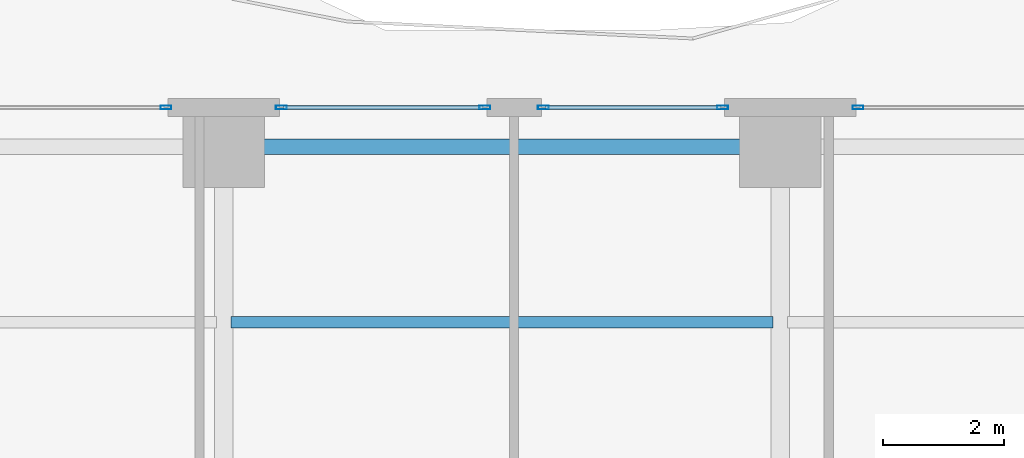
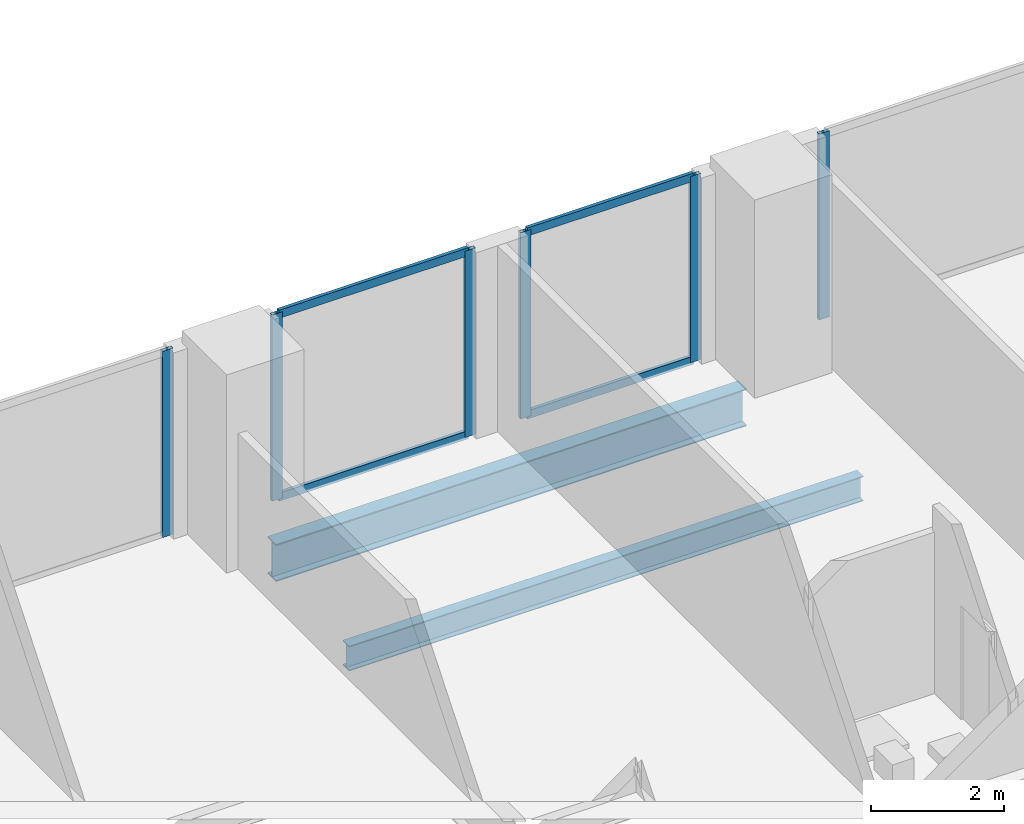
# One storey, part 17 of 29: 10 members, 2 beams, 4 elements without a shape of their own.
"""IFC4 building model written with IfcOpenShell, lengths in metres."""

from ifc_helpers import new_model, si_unit, direction, frame, origin, origin_2d, place, context, subcontext, project, spatial, hollow_rectangle, i_section, extrude, material, layer, layer_set, material_profile, profile_set, type_object, element, aggregate, save


model = new_model("IFC4")

# Units and contexts
model_context = context("Model", 3, precision=1e-05, world=origin(), true_north=direction((0.0, 1.0)))
body_context = subcontext(model_context, "Body", "Model", "MODEL_VIEW")
ifc_project = project(units=[si_unit("LENGTHUNIT", "METRE"), si_unit("AREAUNIT", "SQUARE_METRE"), si_unit("VOLUMEUNIT", "CUBIC_METRE"), si_unit("PLANEANGLEUNIT", "RADIAN"), si_unit("MASSUNIT", "GRAM", prefix="KILO")], contexts=[model_context])

# Site, building, storey
site_placement = place(None, origin())
site = spatial("IfcSite", under=ifc_project, at=site_placement, CompositionType="ELEMENT")
building_placement = place(site_placement, origin())
building = spatial("IfcBuilding", under=site, at=building_placement, Name="Zuhayl Quay Hotel", CompositionType="ELEMENT")
storey_placement = place(building_placement, frame((0.0, 0.0, 150.39990234375)))
storey = spatial("IfcBuildingStorey", under=building, at=storey_placement, Name="L38", CompositionType="ELEMENT", Elevation=150.39990234375)

# Beams
ifc_material_1 = material(Name="Steel ASTM A992 Grade 50", Category="steel")
ifc_material_profile_1 = material_profile(ifc_material_1, i_section(OverallWidth=0.25390625, OverallDepth=0.68310546875, WebThickness=0.012451171875, FlangeThickness=0.018798828125, at=origin_2d()), Name="W27X94")
ifc_profile_set_1 = profile_set([ifc_material_profile_1], Name="Steel ASTM A992 Grade 50")
beam_type_1 = type_object("IfcBeamType", Name="BM_B2_W27X94", PredefinedType="BEAM", material=ifc_profile_set_1)
beam_1_placement = place(storey_placement, frame((4.10009765625, 27.75, -0.5615234375), z_axis=(-1.0, 0.0, 0.0), x_axis=(0.0, -1.0, 0.0)))
element("IfcBeam", 1, at=beam_1_placement, inside=storey, type_object=beam_type_1, Name="L38 Floor Beam RG_L38_08", PredefinedType="BEAM", context=body_context, shape_type="SweptSolid", body=[
    extrude(i_section(OverallWidth=0.25390625, OverallDepth=0.68310546875, WebThickness=0.012451171875, FlangeThickness=0.018798828125, at=origin_2d()), origin(), (0.0, 0.0, 1.0), 8.2001953125),
])
ifc_material_profile_2 = material_profile(ifc_material_1, i_section(OverallWidth=0.18994140625, OverallDepth=0.45703125, WebThickness=0.009033203125, FlangeThickness=0.014404296875, at=origin_2d()), Name="W18X50")
ifc_profile_set_2 = profile_set([ifc_material_profile_2], Name="Steel ASTM A992 Grade 50")
beam_type_2 = type_object("IfcBeamType", Name="BM_J2_W18X50", PredefinedType="JOIST", material=ifc_profile_set_2)
beam_2_placement = place(storey_placement, frame((-4.48095703125, 24.85009765625, -0.448486328125), z_axis=(1.0, 0.0, 0.0), x_axis=(0.0, 1.0, 0.0)))
element("IfcBeam", 2, at=beam_2_placement, inside=storey, type_object=beam_type_2, Name="L38 Floor Beam FJ_L38_4_2", PredefinedType="JOIST", context=body_context, shape_type="SweptSolid", body=[
    extrude(i_section(OverallWidth=0.18994140625, OverallDepth=0.45703125, WebThickness=0.009033203125, FlangeThickness=0.014404296875, at=origin_2d()), origin(), (0.0, 0.0, 1.0), 8.9619140625),
])

# Curtain wall, member
ifc_material_2 = material(Name="Anodised Aluminium 6063-T6", Category="aluminium")
ifc_layer = layer(ifc_material_2, 0.179931640625, Name="Anodised Aluminium 6063-T6", Category="aluminium")
ifc_layer_set = layer_set([ifc_layer], Name="Anodised Aluminium 6063-T6")
curtain_wall_type = type_object("IfcCurtainWallType", Name="CW_SYS_Z2", PredefinedType="USERDEFINED", material=ifc_layer_set)
curtain_wall_1_placement = place(storey_placement, origin())
curtain_wall_1 = element("IfcCurtainWall", 3, at=curtain_wall_1_placement, inside=storey, type_object=curtain_wall_type, Name="L38 Curtain Wall ENV_L38_N_CW3", ObjectType="UNITISED CURTAIN WALL", PredefinedType="USERDEFINED")
ifc_material_3 = material(Name="Black-anodised aluminium 6063-T6", Category="aluminium")
ifc_material_profile_3 = material_profile(ifc_material_3, hollow_rectangle(XDim=0.06494140625, YDim=0.179931640625, WallThickness=0.00341796875, at=origin_2d()), Name="ALU180X65")
ifc_profile_set_3 = profile_set([ifc_material_profile_3], Name="Black-anodised aluminium 6063-T6")
member_type_1 = type_object("IfcMemberType", Name="MB_CW_MUL_180", PredefinedType="MULLION", material=ifc_profile_set_3)
member_1_placement = place(storey_placement, frame((-5.552490234375, 28.39990234375, 0.0), z_axis=(0.0, 0.0, 1.0), x_axis=(0.0, 1.0, 0.0)))
member_1 = element("IfcMember", 4, at=member_1_placement, type_object=member_type_1, Name="CW-Z2 mullion 2", PredefinedType="MULLION", context=body_context, shape_type="SweptSolid", body=[
    extrude(hollow_rectangle(XDim=0.06494140625, YDim=0.179931640625, WallThickness=0.00341796875, at=origin_2d()), origin(), (0.0, 0.0, 1.0), 3.43017578125),
])
aggregate(curtain_wall_1, [member_1])

# Curtain wall, members
curtain_wall_2_placement = place(storey_placement, origin())
curtain_wall_2 = element("IfcCurtainWall", 5, at=curtain_wall_2_placement, inside=storey, type_object=curtain_wall_type, Name="L38 Curtain Wall ENV_L38_N_CW4", ObjectType="UNITISED CURTAIN WALL", PredefinedType="USERDEFINED")
member_2_placement = place(storey_placement, frame((-3.6474609375, 28.39990234375, 0.0), z_axis=(0.0, 0.0, 1.0), x_axis=(0.0, 1.0, 0.0)))
member_2 = element("IfcMember", 6, at=member_2_placement, type_object=member_type_1, Name="CW-Z2 mullion 1", PredefinedType="MULLION", context=body_context, shape_type="SweptSolid", body=[
    extrude(hollow_rectangle(XDim=0.06494140625, YDim=0.179931640625, WallThickness=0.00341796875, at=origin_2d()), origin(), (0.0, 0.0, 1.0), 3.43017578125),
])
member_3_placement = place(storey_placement, frame((-0.282470703125, 28.39990234375, 0.0), z_axis=(0.0, 0.0, 1.0), x_axis=(0.0, 1.0, 0.0)))
member_3 = element("IfcMember", 7, at=member_3_placement, type_object=member_type_1, Name="CW-Z2 mullion 2", PredefinedType="MULLION", context=body_context, shape_type="SweptSolid", body=[
    extrude(hollow_rectangle(XDim=0.06494140625, YDim=0.179931640625, WallThickness=0.00341796875, at=origin_2d()), origin(), (0.0, 0.0, 1.0), 3.43017578125),
])

curtain_wall_3_placement = place(storey_placement, origin())
curtain_wall_3 = element("IfcCurtainWall", 8, at=curtain_wall_3_placement, inside=storey, type_object=curtain_wall_type, Name="L38 Curtain Wall ENV_L38_N_CW5", ObjectType="UNITISED CURTAIN WALL", PredefinedType="USERDEFINED")
member_4_placement = place(storey_placement, frame((0.6826171875, 28.39990234375, 0.0), z_axis=(0.0, 0.0, 1.0), x_axis=(0.0, 1.0, 0.0)))
member_4 = element("IfcMember", 9, at=member_4_placement, type_object=member_type_1, Name="CW-Z2 mullion 1", PredefinedType="MULLION", context=body_context, shape_type="SweptSolid", body=[
    extrude(hollow_rectangle(XDim=0.06494140625, YDim=0.179931640625, WallThickness=0.00341796875, at=origin_2d()), origin(), (0.0, 0.0, 1.0), 3.43017578125),
])
member_5_placement = place(storey_placement, frame((3.6474609375, 28.39990234375, 0.0), z_axis=(0.0, 0.0, 1.0), x_axis=(0.0, 1.0, 0.0)))
member_5 = element("IfcMember", 10, at=member_5_placement, type_object=member_type_1, Name="CW-Z2 mullion 2", PredefinedType="MULLION", context=body_context, shape_type="SweptSolid", body=[
    extrude(hollow_rectangle(XDim=0.06494140625, YDim=0.179931640625, WallThickness=0.00341796875, at=origin_2d()), origin(), (0.0, 0.0, 1.0), 3.43017578125),
])

# Curtain wall, member
curtain_wall_4_placement = place(storey_placement, origin())
curtain_wall_4 = element("IfcCurtainWall", 11, at=curtain_wall_4_placement, inside=storey, type_object=curtain_wall_type, Name="L38 Curtain Wall ENV_L38_N_CW6", ObjectType="UNITISED CURTAIN WALL", PredefinedType="USERDEFINED")
member_6_placement = place(storey_placement, frame((5.882568359375, 28.39990234375, 0.0), z_axis=(0.0, 0.0, 1.0), x_axis=(0.0, 1.0, 0.0)))
member_6 = element("IfcMember", 12, at=member_6_placement, type_object=member_type_1, Name="CW-Z2 mullion 1", PredefinedType="MULLION", context=body_context, shape_type="SweptSolid", body=[
    extrude(hollow_rectangle(XDim=0.06494140625, YDim=0.179931640625, WallThickness=0.00341796875, at=origin_2d()), origin(), (0.0, 0.0, 1.0), 3.43017578125),
])
aggregate(curtain_wall_4, [member_6])

# Member
ifc_material_profile_4 = material_profile(ifc_material_3, hollow_rectangle(XDim=0.06005859375, YDim=0.14990234375, WallThickness=0.00341796875, at=origin_2d()), Name="ALU150X60")
ifc_profile_set_4 = profile_set([ifc_material_profile_4], Name="Black-anodised aluminium 6063-T6")
member_type_2 = type_object("IfcMemberType", Name="MB_CW_TRN_150", PredefinedType="USERDEFINED", material=ifc_profile_set_4)
member_7_placement = place(storey_placement, frame((-3.614990234375, 28.39990234375, 0.030029296875), z_axis=(1.0, 0.0, 0.0), x_axis=(0.0, 1.0, 0.0)))
member_7 = element("IfcMember", 13, at=member_7_placement, type_object=member_type_2, Name="CW-Z2 transom 1.1", ObjectType="TRANSOM", PredefinedType="USERDEFINED", context=body_context, shape_type="SweptSolid", body=[
    extrude(hollow_rectangle(XDim=0.06005859375, YDim=0.14990234375, WallThickness=0.00341796875, at=origin_2d()), origin(), (0.0, 0.0, 1.0), 3.300048828125),
])

member_8_placement = place(storey_placement, frame((-3.614990234375, 28.39990234375, 3.400146484375), z_axis=(1.0, 0.0, 0.0), x_axis=(0.0, 1.0, 0.0)))
member_8 = element("IfcMember", 14, at=member_8_placement, type_object=member_type_2, Name="CW-Z2 transom 1.2", ObjectType="TRANSOM", PredefinedType="USERDEFINED", context=body_context, shape_type="SweptSolid", body=[
    extrude(hollow_rectangle(XDim=0.06005859375, YDim=0.14990234375, WallThickness=0.00341796875, at=origin_2d()), origin(), (0.0, 0.0, 1.0), 3.300048828125),
])

aggregate(curtain_wall_2, [member_2, member_3, member_7, member_8])

member_9_placement = place(storey_placement, frame((0.715087890625, 28.39990234375, 0.030029296875), z_axis=(1.0, 0.0, 0.0), x_axis=(0.0, 1.0, 0.0)))
member_9 = element("IfcMember", 15, at=member_9_placement, type_object=member_type_2, Name="CW-Z2 transom 1.1", ObjectType="TRANSOM", PredefinedType="USERDEFINED", context=body_context, shape_type="SweptSolid", body=[
    extrude(hollow_rectangle(XDim=0.06005859375, YDim=0.14990234375, WallThickness=0.00341796875, at=origin_2d()), origin(), (0.0, 0.0, 1.0), 2.89990234375),
])

member_10_placement = place(storey_placement, frame((0.715087890625, 28.39990234375, 3.400146484375), z_axis=(1.0, 0.0, 0.0), x_axis=(0.0, 1.0, 0.0)))
member_10 = element("IfcMember", 16, at=member_10_placement, type_object=member_type_2, Name="CW-Z2 transom 1.2", ObjectType="TRANSOM", PredefinedType="USERDEFINED", context=body_context, shape_type="SweptSolid", body=[
    extrude(hollow_rectangle(XDim=0.06005859375, YDim=0.14990234375, WallThickness=0.00341796875, at=origin_2d()), origin(), (0.0, 0.0, 1.0), 2.89990234375),
])

aggregate(curtain_wall_3, [member_4, member_5, member_9, member_10])

save(model, "model.ifc")
